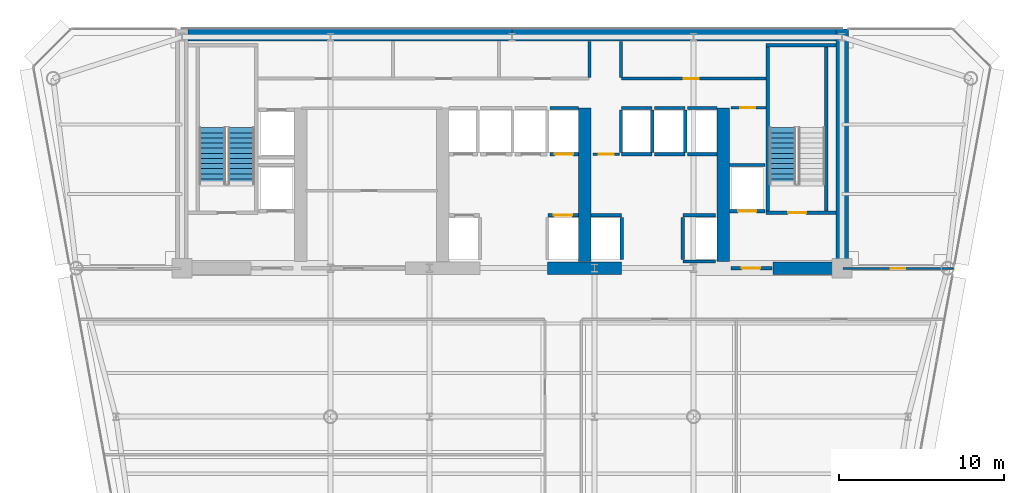
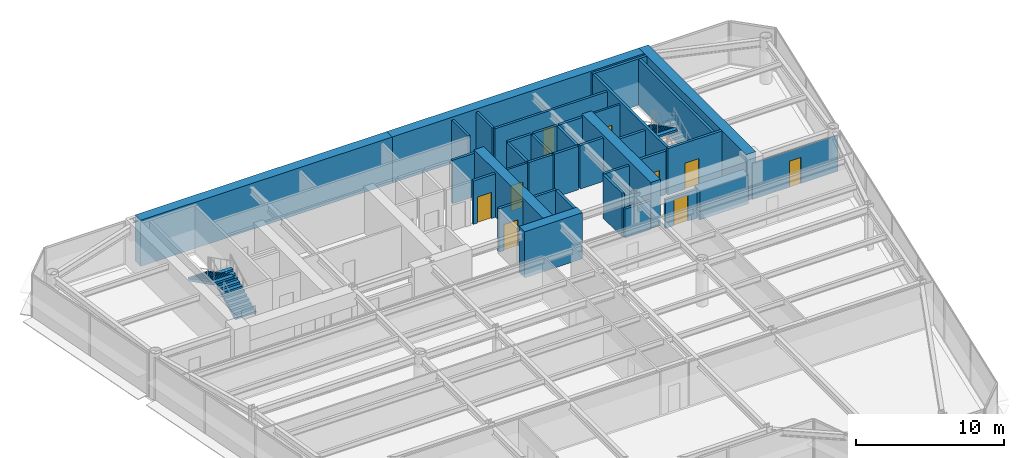
# One storey, part 12 of 17: 37 walls, 9 doors, 3 stair flights, 9 openings, 2 elements without a shape of their own.
"""IFC4 building model written with IfcOpenShell, lengths in metres."""

from ifc_helpers import new_model, si_unit, direction, frame, frame_2d, origin, place, context, subcontext, project, spatial, polyline, rectangle, outline, extrude, source, transform, mapped, material, layer, layer_set, type_object, element, fill, aggregate, save


model = new_model("IFC4")

# Units and contexts
model_context = context("Model", 3, precision=1e-05, world=origin(), true_north=direction((0.0, 1.0)))
body_context = subcontext(model_context, "Body", "Model", "MODEL_VIEW")
ifc_project = project(units=[si_unit("LENGTHUNIT", "METRE"), si_unit("AREAUNIT", "SQUARE_METRE"), si_unit("VOLUMEUNIT", "CUBIC_METRE"), si_unit("PLANEANGLEUNIT", "RADIAN"), si_unit("MASSUNIT", "GRAM", prefix="KILO")], contexts=[model_context])

# Site, building, storey
site_placement = place(None, origin())
site = spatial("IfcSite", under=ifc_project, at=site_placement, CompositionType="ELEMENT")
building_placement = place(site_placement, origin())
building = spatial("IfcBuilding", under=site, at=building_placement, Name="Vaeldorn Concourse Tower", CompositionType="ELEMENT")
storey_placement = place(building_placement, frame((0.0, 0.0, 165.199951171875)))
storey = spatial("IfcBuildingStorey", under=building, at=storey_placement, Name="L42", CompositionType="ELEMENT", Elevation=165.199951171875)

# Walls
ifc_material_1 = material(Name="Concrete C60/75", Category="concrete")
ifc_layer_1 = layer(ifc_material_1, 0.75)
ifc_layer_set_1 = layer_set([ifc_layer_1], Name="Concrete C60/75")
wall_type_1 = type_object("IfcWallType", Name="WL-CORE-750", PredefinedType="SHEAR", material=ifc_layer_set_1)
for number, where, z_axis, x_axis, name in (
    (1, (14.37890625, 50.625, 0.0), (0.0, 0.0, 1.0), (1.0, 0.0, 0.0), "Rear Core Shear Wall L42 N1"),
    (2, (34.001953125, 50.625, 0.0), (0.0, 0.0, 1.0), (1.0, 0.0, 0.0), "Rear Core Shear Wall L42 N2"),
):
    element("IfcWall", number, at=place(storey_placement, frame(where, z_axis=z_axis, x_axis=x_axis)), inside=storey, type_object=wall_type_1, Name=name, PredefinedType="SHEAR", context=body_context, shape_type="SweptSolid", body=[
        extrude(rectangle(XDim=19.619140625, YDim=0.75, at=frame_2d((9.8095703125, 0.0))), origin(), (0.0, 0.0, 1.0), 3.800048828125),
    ])
wall_1_placement = place(storey_placement, frame((54.0, 36.5, 0.0), z_axis=(0.0, 0.0, 1.0), x_axis=(0.0, 1.0, 0.0)))
element("IfcWall", 3, at=wall_1_placement, inside=storey, type_object=wall_type_1, Name="Rear Core Shear Wall L42 E1", PredefinedType="SHEAR", context=body_context, shape_type="SweptSolid", body=[
    extrude(rectangle(XDim=14.5, YDim=0.75, at=frame_2d((7.25, 0.0))), origin(), (0.0, 0.0, 1.0), 3.800048828125),
])
wall_2_placement = place(storey_placement, frame((36.14990234375, 36.5, 0.0), z_axis=(0.0, 0.0, 1.0), x_axis=(1.0, 0.0, 0.0)))
element("IfcWall", 4, at=wall_2_placement, inside=storey, type_object=wall_type_1, Name="Rear Core Shear Wall L42 S3", PredefinedType="SHEAR", context=body_context, shape_type="SweptSolid", body=[
    extrude(rectangle(XDim=4.5, YDim=0.75, at=frame_2d((2.25, 0.0))), origin(), (0.0, 0.0, 1.0), 3.800048828125),
])
wall_3_placement = place(storey_placement, frame((49.800048828125, 36.5, 0.0), z_axis=(0.0, 0.0, 1.0), x_axis=(1.0, 0.0, 0.0)))
element("IfcWall", 5, at=wall_3_placement, inside=storey, type_object=wall_type_1, Name="Rear Core Shear Wall L42 S4", PredefinedType="SHEAR", context=body_context, shape_type="SweptSolid", body=[
    extrude(rectangle(XDim=3.804931640625, YDim=0.75, at=frame_2d((1.90234375, 0.0))), origin(), (0.0, 0.0, 1.0), 2.380126953125),
])
for number, where, z_axis, x_axis, name in (
    (6, (38.39990234375, 36.89501953125, 0.0), (0.0, 0.0, 1.0), (0.0, 1.0, 0.0), "Rear Core Shear Wall L42 M3"),
    (7, (46.800048828125, 36.89501953125, 0.0), (0.0, 0.0, 1.0), (0.0, 1.0, 0.0), "Rear Core Shear Wall L42 M4"),
):
    element("IfcWall", number, at=place(storey_placement, frame(where, z_axis=z_axis, x_axis=x_axis)), inside=storey, type_object=wall_type_1, Name=name, PredefinedType="SHEAR", context=body_context, shape_type="SweptSolid", body=[
        extrude(rectangle(XDim=9.304931640625, YDim=0.75, at=frame_2d((4.65234375, 0.0))), origin(), (0.0, 0.0, 1.0), 3.800048828125),
    ])

# Wall, opening, door
ifc_material_2 = material(Name="Gypsum Board Partition", Category="gypsum")
ifc_layer_2 = layer(ifc_material_2, 0.1201171875)
ifc_layer_set_2 = layer_set([ifc_layer_2], Name="Gypsum Board Partition")
wall_type_2 = type_object("IfcWallType", Name="WL-PART-120", PredefinedType="PARTITIONING", material=ifc_layer_set_2)
wall_4_placement = place(storey_placement, frame((54.06005859375, 36.47998046875, 0.0), z_axis=(0.0, 0.0, 1.0), x_axis=(1.0, 0.0, 0.0)))
wall_4 = element("IfcWall", 8, at=wall_4_placement, inside=storey, type_object=wall_type_2, Name="Interior Wall PW-L42-NES", PredefinedType="PARTITIONING", context=body_context, shape_type="SweptSolid", body=[
    extrude(rectangle(XDim=6.66552734375, YDim=0.1201171875, at=frame_2d((3.332763671875, 0.0))), origin(), (0.0, 0.0, 1.0), 2.969970703125),
])
opening_1_placement = place(wall_4_placement, frame((2.883056640625, 0.0, 0.0)))
opening_1 = element("IfcOpeningElement", 9, at=opening_1_placement, cuts=wall_4, Name="Opening D-03", PredefinedType="OPENING", context=body_context, shape_type="SweptSolid", body=[
    extrude(rectangle(XDim=0.89990234375, YDim=2.14990234375, at=frame_2d((0.449951171875, 1.074951171875))), frame((0.0, 0.070068359375, 0.0), z_axis=(0.0, -1.0, 0.0), x_axis=(1.0, 0.0, 0.0)), (0.0, 0.0, 1.0), 0.14013671875),
])
ifc_material_3 = material(Name="Acoustic Bronze-Framed Glass Door", Category="glass")
door_type_1 = type_object("IfcDoorType", Name="DR-INT-900", OperationType="NOTDEFINED", PredefinedType="DOOR", material=ifc_material_3)
shared_shape_1 = source(origin(), body_context, "Body", "SweptSolid", [
    extrude(rectangle(XDim=0.89990234375, YDim=2.14990234375, at=frame_2d((0.449951171875, 1.074951171875))), frame((0.0, 0.02490234375, 0.0), z_axis=(0.0, -1.0, 0.0), x_axis=(1.0, 0.0, 0.0)), (0.0, 0.0, 1.0), 0.050048828125),
])
door_1_placement = place(opening_1_placement, origin())
door_1 = element("IfcDoor", 10, at=door_1_placement, inside=storey, type_object=door_type_1, Name="Interior Door DR-L42-NEC", OperationType="SINGLE_SWING_RIGHT", OverallHeight=2.14990234375, OverallWidth=0.89990234375, PredefinedType="DOOR", context=body_context, shape_type="MappedRepresentation", body=[
    mapped(shared_shape_1, transform((0.0, 0.0, 0.0), scale=1.0)),
])
fill(opening_1, door_1)

ifc_layer_3 = layer(ifc_material_2, 0.14990234375)
ifc_layer_set_3 = layer_set([ifc_layer_3], Name="Gypsum Board Partition")
wall_type_3 = type_object("IfcWallType", Name="WL-PART-150", PredefinedType="PARTITIONING", material=ifc_layer_set_3)
wall_5_placement = place(storey_placement, frame((47.280029296875, 46.219970703125, 0.0), z_axis=(0.0, 0.0, 1.0), x_axis=(1.0, 0.0, 0.0)))
wall_5 = element("IfcWall", 11, at=wall_5_placement, inside=storey, type_object=wall_type_3, Name="Interior Wall CW-L42-CRSE-N", PredefinedType="PARTITIONING", context=body_context, shape_type="SweptSolid", body=[
    extrude(rectangle(XDim=2.099853515625, YDim=0.14990234375, at=frame_2d((1.0498046875, 0.0))), origin(), (0.0, 0.0, 1.0), 3.580078125),
])
opening_2_placement = place(wall_5_placement, frame((0.550048828125, 0.0, 0.0)))
opening_2 = element("IfcOpeningElement", 12, at=opening_2_placement, cuts=wall_5, Name="Opening D-02", PredefinedType="OPENING", context=body_context, shape_type="SweptSolid", body=[
    extrude(rectangle(XDim=0.89990234375, YDim=2.10009765625, at=frame_2d((0.449951171875, 1.050048828125))), frame((0.0, 0.0849609375, 0.0), z_axis=(0.0, -1.0, 0.0), x_axis=(1.0, 0.0, 0.0)), (0.0, 0.0, 1.0), 0.169921875),
])
ifc_material_4 = material(Name="Fire-Rated Timber Leaf", Category="wood")
door_type_2 = type_object("IfcDoorType", Name="DR-FD30-900", OperationType="NOTDEFINED", PredefinedType="DOOR", material=ifc_material_4)
shared_shape_2 = source(origin(), body_context, "Body", "SweptSolid", [
    extrude(rectangle(XDim=0.89990234375, YDim=2.10009765625, at=frame_2d((0.449951171875, 1.050048828125))), frame((0.0, 0.02490234375, 0.0), z_axis=(0.0, -1.0, 0.0), x_axis=(1.0, 0.0, 0.0)), (0.0, 0.0, 1.0), 0.050048828125),
])
door_2_placement = place(opening_2_placement, origin())
door_2 = element("IfcDoor", 13, at=door_2_placement, inside=storey, type_object=door_type_2, Name="Interior Door DR-L42-CRSE", OperationType="SINGLE_SWING_RIGHT", OverallHeight=2.10009765625, OverallWidth=0.89990234375, PredefinedType="DOOR", context=body_context, shape_type="MappedRepresentation", body=[
    mapped(shared_shape_2, transform((0.0, 0.0, 0.0), scale=1.0)),
])
fill(opening_2, door_2)

wall_6_placement = place(storey_placement, frame((38.919921875, 43.39990234375, 0.0), z_axis=(0.0, 0.0, 1.0), x_axis=(1.0, 0.0, 0.0)))
wall_6 = element("IfcWall", 14, at=wall_6_placement, inside=storey, type_object=wall_type_3, Name="Interior Wall CW-L42-CCLINK", PredefinedType="PARTITIONING", context=body_context, shape_type="SweptSolid", body=[
    extrude(rectangle(XDim=1.60009765625, YDim=0.14990234375, at=frame_2d((0.800048828125, 0.0))), origin(), (0.0, 0.0, 1.0), 3.580078125),
])
opening_3_placement = place(wall_6_placement, frame((0.35009765625, 0.0, 0.0)))
opening_3 = element("IfcOpeningElement", 15, at=opening_3_placement, cuts=wall_6, Name="Opening D-02", PredefinedType="OPENING", context=body_context, shape_type="SweptSolid", body=[
    extrude(rectangle(XDim=0.89990234375, YDim=2.10009765625, at=frame_2d((0.449951171875, 1.050048828125))), frame((0.0, 0.0849609375, 0.0), z_axis=(0.0, -1.0, 0.0), x_axis=(1.0, 0.0, 0.0)), (0.0, 0.0, 1.0), 0.169921875),
])
door_3_placement = place(opening_3_placement, origin())
door_3 = element("IfcDoor", 16, at=door_3_placement, inside=storey, type_object=door_type_2, Name="Interior Door DR-L42-CCLINK", OperationType="SINGLE_SWING_LEFT", OverallHeight=2.10009765625, OverallWidth=0.89990234375, PredefinedType="DOOR", context=body_context, shape_type="MappedRepresentation", body=[
    mapped(shared_shape_2, transform((0.0, 0.0, 0.0), scale=1.0)),
])
fill(opening_3, door_3)

ifc_layer_4 = layer(ifc_material_2, 0.179931640625)
ifc_layer_set_4 = layer_set([ifc_layer_4], Name="Gypsum Board Partition")
wall_type_4 = type_object("IfcWallType", Name="WL-PLUMB-180", PredefinedType="PLUMBINGWALL", material=ifc_layer_set_4)
wall_7_placement = place(storey_placement, frame((40.6201171875, 47.97998046875, 0.0), z_axis=(0.0, 0.0, 1.0), x_axis=(1.0, 0.0, 0.0)))
wall_7 = element("IfcWall", 17, at=wall_7_placement, inside=storey, type_object=wall_type_4, Name="Interior Wall CW-L42-NS1E", PredefinedType="PLUMBINGWALL", context=body_context, shape_type="SweptSolid", body=[
    extrude(rectangle(XDim=8.759765625, YDim=0.179931640625, at=frame_2d((4.3798828125, 0.0))), origin(), (0.0, 0.0, 1.0), 3.580078125),
])
opening_4_placement = place(wall_7_placement, frame((3.800048828125, 0.0, 0.0)))
opening_4 = element("IfcOpeningElement", 18, at=opening_4_placement, cuts=wall_7, Name="Opening D-03", PredefinedType="OPENING", context=body_context, shape_type="SweptSolid", body=[
    extrude(rectangle(XDim=0.89990234375, YDim=2.14990234375, at=frame_2d((0.449951171875, 1.074951171875))), frame((0.0, 0.10009765625, 0.0), z_axis=(0.0, -1.0, 0.0), x_axis=(1.0, 0.0, 0.0)), (0.0, 0.0, 1.0), 0.199951171875),
])
door_4_placement = place(opening_4_placement, origin())
door_4 = element("IfcDoor", 19, at=door_4_placement, inside=storey, type_object=door_type_1, Name="Interior Door DR-L42-CS4", OperationType="SINGLE_SWING_RIGHT", OverallHeight=2.14990234375, OverallWidth=0.89990234375, PredefinedType="DOOR", context=body_context, shape_type="MappedRepresentation", body=[
    mapped(shared_shape_1, transform((0.0, 0.0, 0.0), scale=1.0)),
])
fill(opening_4, door_4)

# Walls
for number, where, z_axis, x_axis, name in (
    (20, (38.699951171875, 48.06005859375, 0.0), (0.0, 0.0, 1.0), (0.0, 1.0, 0.0), "Interior Wall CW-L42-NDIV3"),
    (21, (40.60009765625, 48.06005859375, 0.0), (0.0, 0.0, 1.0), (0.0, 1.0, 0.0), "Interior Wall CW-L42-NDIV4"),
):
    element("IfcWall", number, at=place(storey_placement, frame(where, z_axis=z_axis, x_axis=x_axis)), inside=storey, type_object=wall_type_4, Name=name, PredefinedType="PLUMBINGWALL", context=body_context, shape_type="SweptSolid", body=[
        extrude(rectangle(XDim=2.169921875, YDim=0.179931640625, at=frame_2d((1.0849609375, 0.0))), origin(), (0.0, 0.0, 1.0), 3.580078125),
    ])

# Wall, opening, door
ifc_material_5 = material(Name="Concrete C50/60", Category="concrete")
ifc_layer_5 = layer(ifc_material_5, 0.199951171875)
ifc_layer_set_5 = layer_set([ifc_layer_5], Name="Concrete C50/60")
wall_type_5 = type_object("IfcWallType", Name="WL-SHAFT-200", PredefinedType="SOLIDWALL", material=ifc_layer_set_5)
wall_8_placement = place(storey_placement, frame((49.39990234375, 39.85009765625, 0.0), z_axis=(0.0, 0.0, 1.0), x_axis=(1.0, 0.0, 0.0)))
wall_8 = element("IfcWall", 22, at=wall_8_placement, inside=storey, type_object=wall_type_5, Name="Stair Shaft Wall CW-L42-ST-2-S", PredefinedType="SOLIDWALL", context=body_context, shape_type="SweptSolid", body=[
    extrude(rectangle(XDim=4.22509765625, YDim=0.199951171875, at=frame_2d((2.112548828125, 0.0))), origin(), (0.0, 0.0, 1.0), 3.800048828125),
])
opening_5_placement = place(wall_8_placement, frame((1.324951171875, 0.0, 0.0)))
opening_5 = element("IfcOpeningElement", 23, at=opening_5_placement, cuts=wall_8, Name="Opening D-01", PredefinedType="OPENING", context=body_context, shape_type="SweptSolid", body=[
    extrude(rectangle(XDim=1.10009765625, YDim=2.14990234375, at=frame_2d((0.550048828125, 1.074951171875))), frame((0.0, 0.10986328125, 0.0), z_axis=(0.0, -1.0, 0.0), x_axis=(1.0, 0.0, 0.0)), (0.0, 0.0, 1.0), 0.219970703125),
])
ifc_material_6 = material(Name="Fire-Rated Timber and Steel Leaf", Category="steel")
door_type_3 = type_object("IfcDoorType", Name="DR-FD60-1100", OperationType="NOTDEFINED", PredefinedType="DOOR", material=ifc_material_6)
shared_shape_3 = source(origin(), body_context, "Body", "SweptSolid", [
    extrude(rectangle(XDim=1.10009765625, YDim=2.14990234375, at=frame_2d((0.550048828125, 1.074951171875))), frame((0.0, 0.02490234375, 0.0), z_axis=(0.0, -1.0, 0.0), x_axis=(1.0, 0.0, 0.0)), (0.0, 0.0, 1.0), 0.050048828125),
])
door_5_placement = place(opening_5_placement, origin())
door_5 = element("IfcDoor", 24, at=door_5_placement, inside=storey, type_object=door_type_3, Name="Interior Door DR-L42-ST-2", OperationType="SINGLE_SWING_RIGHT", OverallHeight=2.14990234375, OverallWidth=1.10009765625, PredefinedType="DOOR", context=body_context, shape_type="MappedRepresentation", body=[
    mapped(shared_shape_3, transform((0.0, 0.0, 0.0), scale=1.0)),
])
fill(opening_5, door_5)

# Walls
wall_9_placement = place(storey_placement, frame((49.39990234375, 50.0, 0.0), z_axis=(0.0, 0.0, 1.0), x_axis=(1.0, 0.0, 0.0)))
element("IfcWall", 25, at=wall_9_placement, inside=storey, type_object=wall_type_5, Name="Stair Shaft Wall CW-L42-ST-2-N", PredefinedType="SOLIDWALL", context=body_context, shape_type="SweptSolid", body=[
    extrude(rectangle(XDim=4.22509765625, YDim=0.199951171875, at=frame_2d((2.112548828125, 0.0))), origin(), (0.0, 0.0, 1.0), 3.800048828125),
])
for number, where, z_axis, x_axis, name in (
    (26, (49.5, 39.9599609375, 0.0), (0.0, 0.0, 1.0), (0.0, 1.0, 0.0), "Stair Shaft Wall CW-L42-ST-2-W"),
    (27, (53.050048828125, 39.9599609375, 0.0), (0.0, 0.0, 1.0), (0.0, 1.0, 0.0), "Stair Shaft Wall CW-L42-ST-2-E"),
):
    element("IfcWall", number, at=place(storey_placement, frame(where, z_axis=z_axis, x_axis=x_axis)), inside=storey, type_object=wall_type_5, Name=name, PredefinedType="SOLIDWALL", context=body_context, shape_type="SweptSolid", body=[
        extrude(rectangle(XDim=9.929931640625, YDim=0.199951171875, at=frame_2d((4.96484375, 0.0))), origin(), (0.0, 0.0, 1.0), 3.800048828125),
    ])

# Wall, opening, door
wall_10_placement = place(storey_placement, frame((47.280029296875, 36.5, 0.0), z_axis=(0.0, 0.0, 1.0), x_axis=(1.0, 0.0, 0.0)))
wall_10 = element("IfcWall", 28, at=wall_10_placement, inside=storey, type_object=wall_type_5, Name="Interior Wall CW-L42-FF2S", PredefinedType="SOLIDWALL", context=body_context, shape_type="SweptSolid", body=[
    extrude(rectangle(XDim=2.469970703125, YDim=0.199951171875, at=frame_2d((1.23486328125, 0.0))), origin(), (0.0, 0.0, 1.0), 2.3701171875),
])
opening_6_placement = place(wall_10_placement, frame((0.64990234375, 0.0, 0.0)))
opening_6 = element("IfcOpeningElement", 29, at=opening_6_placement, cuts=wall_10, Name="Opening D-01", PredefinedType="OPENING", context=body_context, shape_type="SweptSolid", body=[
    extrude(rectangle(XDim=1.10009765625, YDim=2.14990234375, at=frame_2d((0.550048828125, 1.074951171875))), frame((0.0, 0.10986328125, 0.0), z_axis=(0.0, -1.0, 0.0), x_axis=(1.0, 0.0, 0.0)), (0.0, 0.0, 1.0), 0.219970703125),
])
door_6_placement = place(opening_6_placement, origin())
door_6 = element("IfcDoor", 30, at=door_6_placement, inside=storey, type_object=door_type_3, Name="Interior Door DR-L42-FF2W", OperationType="SINGLE_SWING_LEFT", OverallHeight=2.14990234375, OverallWidth=1.10009765625, PredefinedType="DOOR", context=body_context, shape_type="MappedRepresentation", body=[
    mapped(shared_shape_3, transform((0.0, 0.0, 0.0), scale=1.0)),
])
fill(opening_6, door_6)

wall_11_placement = place(storey_placement, frame((36.169921875, 39.699951171875, 0.0), z_axis=(0.0, 0.0, 1.0), x_axis=(1.0, 0.0, 0.0)))
wall_11 = element("IfcWall", 31, at=wall_11_placement, inside=storey, type_object=wall_type_5, Name="Interior Wall CW-L42-LF-LF-08", PredefinedType="SOLIDWALL", context=body_context, shape_type="SweptSolid", body=[
    extrude(rectangle(XDim=1.844970703125, YDim=0.199951171875, at=frame_2d((0.92236328125, 0.0))), origin(), (0.0, 0.0, 1.0), 3.580078125),
])
opening_7_placement = place(wall_11_placement, frame((0.3720703125, 0.0, 0.0)))
opening_7 = element("IfcOpeningElement", 32, at=opening_7_placement, cuts=wall_11, Name="Opening LD-1", PredefinedType="OPENING", context=body_context, shape_type="SweptSolid", body=[
    extrude(rectangle(XDim=1.10009765625, YDim=2.14990234375, at=frame_2d((0.550048828125, 1.074951171875))), frame((0.0, 0.10986328125, 0.0), z_axis=(0.0, -1.0, 0.0), x_axis=(1.0, 0.0, 0.0)), (0.0, 0.0, 1.0), 0.219970703125),
])
ifc_material_7 = material(Name="Anodised Bronze Aluminium", Category="aluminium")
door_type_4 = type_object("IfcDoorType", Name="DR-LIFT-SLIDE-1100", OperationType="DOUBLE_DOOR_SLIDING", PredefinedType="DOOR", material=ifc_material_7)
door_7_placement = place(opening_7_placement, origin())
door_7 = element("IfcDoor", 33, at=door_7_placement, inside=storey, type_object=door_type_4, Name="Lift Landing Door LD-L42-LF-08", OperationType="DOUBLE_DOOR_SLIDING", OverallHeight=2.14990234375, OverallWidth=1.10009765625, PredefinedType="DOOR", context=body_context, shape_type="MappedRepresentation", body=[
    mapped(shared_shape_3, transform((0.0, 0.0, 0.0), scale=1.0)),
])
fill(opening_7, door_7)

wall_12_placement = place(storey_placement, frame((36.2900390625, 43.39990234375, 0.0), z_axis=(0.0, 0.0, 1.0), x_axis=(1.0, 0.0, 0.0)))
wall_12 = element("IfcWall", 34, at=wall_12_placement, inside=storey, type_object=wall_type_5, Name="Interior Wall CW-L42-LF-LF-12", PredefinedType="SOLIDWALL", context=body_context, shape_type="SweptSolid", body=[
    extrude(rectangle(XDim=1.724853515625, YDim=0.199951171875, at=frame_2d((0.8623046875, 0.0))), origin(), (0.0, 0.0, 1.0), 3.580078125),
])
opening_8_placement = place(wall_12_placement, frame((0.31298828125, 0.0, 0.0)))
opening_8 = element("IfcOpeningElement", 35, at=opening_8_placement, cuts=wall_12, Name="Opening LD-1", PredefinedType="OPENING", context=body_context, shape_type="SweptSolid", body=[
    extrude(rectangle(XDim=1.10009765625, YDim=2.14990234375, at=frame_2d((0.550048828125, 1.074951171875))), frame((0.0, 0.10986328125, 0.0), z_axis=(0.0, -1.0, 0.0), x_axis=(1.0, 0.0, 0.0)), (0.0, 0.0, 1.0), 0.219970703125),
])
door_8_placement = place(opening_8_placement, origin())
door_8 = element("IfcDoor", 36, at=door_8_placement, inside=storey, type_object=door_type_4, Name="Lift Landing Door LD-L42-LF-12", OperationType="DOUBLE_DOOR_SLIDING", OverallHeight=2.14990234375, OverallWidth=1.10009765625, PredefinedType="DOOR", context=body_context, shape_type="MappedRepresentation", body=[
    mapped(shared_shape_3, transform((0.0, 0.0, 0.0), scale=1.0)),
])
fill(opening_8, door_8)

# Walls
wall_13_placement = place(storey_placement, frame((36.2900390625, 46.199951171875, 0.0), z_axis=(0.0, 0.0, 1.0), x_axis=(1.0, 0.0, 0.0)))
element("IfcWall", 37, at=wall_13_placement, inside=storey, type_object=wall_type_5, Name="Interior Wall CW-L42-LFB-LF-12", PredefinedType="SOLIDWALL", context=body_context, shape_type="SweptSolid", body=[
    extrude(rectangle(XDim=1.724853515625, YDim=0.199951171875, at=frame_2d((0.8623046875, 0.0))), origin(), (0.0, 0.0, 1.0), 3.580078125),
])
wall_14_placement = place(storey_placement, frame((38.784912109375, 39.699951171875, 0.0), z_axis=(0.0, 0.0, 1.0), x_axis=(1.0, 0.0, 0.0)))
element("IfcWall", 38, at=wall_14_placement, inside=storey, type_object=wall_type_5, Name="Interior Wall CW-L42-LF-LF-13", PredefinedType="SOLIDWALL", context=body_context, shape_type="SweptSolid", body=[
    extrude(rectangle(XDim=1.844970703125, YDim=0.199951171875, at=frame_2d((0.92236328125, 0.0))), origin(), (0.0, 0.0, 1.0), 3.580078125),
])
wall_15_placement = place(storey_placement, frame((40.64990234375, 37.02001953125, 0.0), z_axis=(0.0, 0.0, 1.0), x_axis=(0.0, 1.0, 0.0)))
element("IfcWall", 39, at=wall_15_placement, inside=storey, type_object=wall_type_5, Name="Interior Wall CW-L42-LFE-LF-13", PredefinedType="SOLIDWALL", context=body_context, shape_type="SweptSolid", body=[
    extrude(rectangle(XDim=2.56005859375, YDim=0.199951171875, at=frame_2d((1.280029296875, 0.0))), origin(), (0.0, 0.0, 1.0), 3.580078125),
])
wall_16_placement = place(storey_placement, frame((44.3701171875, 39.699951171875, 0.0), z_axis=(0.0, 0.0, 1.0), x_axis=(1.0, 0.0, 0.0)))
element("IfcWall", 40, at=wall_16_placement, inside=storey, type_object=wall_type_5, Name="Interior Wall CW-L42-LF-LF-14", PredefinedType="SOLIDWALL", context=body_context, shape_type="SweptSolid", body=[
    extrude(rectangle(XDim=1.9599609375, YDim=0.199951171875, at=frame_2d((0.97998046875, 0.0))), origin(), (0.0, 0.0, 1.0), 3.580078125),
])
wall_17_placement = place(storey_placement, frame((44.3701171875, 36.89990234375, 0.0), z_axis=(0.0, 0.0, 1.0), x_axis=(1.0, 0.0, 0.0)))
element("IfcWall", 41, at=wall_17_placement, inside=storey, type_object=wall_type_5, Name="Interior Wall CW-L42-LFB-LF-14", PredefinedType="SOLIDWALL", context=body_context, shape_type="SweptSolid", body=[
    extrude(rectangle(XDim=1.9599609375, YDim=0.199951171875, at=frame_2d((0.97998046875, 0.0))), origin(), (0.0, 0.0, 1.0), 2.3701171875),
])
wall_18_placement = place(storey_placement, frame((44.35009765625, 37.02001953125, 0.0), z_axis=(0.0, 0.0, 1.0), x_axis=(0.0, 1.0, 0.0)))
element("IfcWall", 42, at=wall_18_placement, inside=storey, type_object=wall_type_5, Name="Interior Wall CW-L42-LFW-LF-14", PredefinedType="SOLIDWALL", context=body_context, shape_type="SweptSolid", body=[
    extrude(rectangle(XDim=2.56005859375, YDim=0.199951171875, at=frame_2d((1.280029296875, 0.0))), origin(), (0.0, 0.0, 1.0), 3.580078125),
])
for number, where, z_axis, x_axis, name in (
    (43, (40.6201171875, 43.39990234375, 0.0), (0.0, 0.0, 1.0), (1.0, 0.0, 0.0), "Interior Wall CW-L42-LF-LF-15"),
    (44, (40.6201171875, 46.199951171875, 0.0), (0.0, 0.0, 1.0), (1.0, 0.0, 0.0), "Interior Wall CW-L42-LFB-LF-15"),
):
    element("IfcWall", number, at=place(storey_placement, frame(where, z_axis=z_axis, x_axis=x_axis)), inside=storey, type_object=wall_type_5, Name=name, PredefinedType="SOLIDWALL", context=body_context, shape_type="SweptSolid", body=[
        extrude(rectangle(XDim=1.85986328125, YDim=0.199951171875, at=frame_2d((0.929931640625, 0.0))), origin(), (0.0, 0.0, 1.0), 3.580078125),
    ])
for number, where, z_axis, x_axis, name in (
    (45, (40.60009765625, 43.52001953125, 0.0), (0.0, 0.0, 1.0), (0.0, 1.0, 0.0), "Interior Wall CW-L42-LFW-LF-15"),
    (46, (42.5, 43.52001953125, 0.0), (0.0, 0.0, 1.0), (0.0, 1.0, 0.0), "Interior Wall CW-L42-LFE-LF-15"),
):
    element("IfcWall", number, at=place(storey_placement, frame(where, z_axis=z_axis, x_axis=x_axis)), inside=storey, type_object=wall_type_5, Name=name, PredefinedType="SOLIDWALL", context=body_context, shape_type="SweptSolid", body=[
        extrude(rectangle(XDim=2.56005859375, YDim=0.199951171875, at=frame_2d((1.280029296875, 0.0))), origin(), (0.0, 0.0, 1.0), 3.580078125),
    ])
for number, where, z_axis, x_axis, name in (
    (47, (42.6201171875, 43.39990234375, 0.0), (0.0, 0.0, 1.0), (1.0, 0.0, 0.0), "Interior Wall CW-L42-LF-LF-16"),
    (48, (42.6201171875, 46.199951171875, 0.0), (0.0, 0.0, 1.0), (1.0, 0.0, 0.0), "Interior Wall CW-L42-LFB-LF-16"),
):
    element("IfcWall", number, at=place(storey_placement, frame(where, z_axis=z_axis, x_axis=x_axis)), inside=storey, type_object=wall_type_5, Name=name, PredefinedType="SOLIDWALL", context=body_context, shape_type="SweptSolid", body=[
        extrude(rectangle(XDim=1.85986328125, YDim=0.199951171875, at=frame_2d((0.929931640625, 0.0))), origin(), (0.0, 0.0, 1.0), 3.580078125),
    ])
wall_19_placement = place(storey_placement, frame((44.5, 43.52001953125, 0.0), z_axis=(0.0, 0.0, 1.0), x_axis=(0.0, 1.0, 0.0)))
element("IfcWall", 49, at=wall_19_placement, inside=storey, type_object=wall_type_5, Name="Interior Wall CW-L42-LFE-LF-16", PredefinedType="SOLIDWALL", context=body_context, shape_type="SweptSolid", body=[
    extrude(rectangle(XDim=2.56005859375, YDim=0.199951171875, at=frame_2d((1.280029296875, 0.0))), origin(), (0.0, 0.0, 1.0), 3.580078125),
])
for number, where, z_axis, x_axis, name in (
    (50, (44.6201171875, 43.39990234375, 0.0), (0.0, 0.0, 1.0), (1.0, 0.0, 0.0), "Interior Wall CW-L42-LF-LF-17"),
    (51, (44.6201171875, 46.199951171875, 0.0), (0.0, 0.0, 1.0), (1.0, 0.0, 0.0), "Interior Wall CW-L42-LFB-LF-17"),
):
    element("IfcWall", number, at=place(storey_placement, frame(where, z_axis=z_axis, x_axis=x_axis)), inside=storey, type_object=wall_type_5, Name=name, PredefinedType="SOLIDWALL", context=body_context, shape_type="SweptSolid", body=[
        extrude(rectangle(XDim=1.794921875, YDim=0.199951171875, at=frame_2d((0.8974609375, 0.0))), origin(), (0.0, 0.0, 1.0), 3.580078125),
    ])

# Wall, opening, door
wall_20_placement = place(storey_placement, frame((47.18505859375, 39.949951171875, 0.0), z_axis=(0.0, 0.0, 1.0), x_axis=(1.0, 0.0, 0.0)))
wall_20 = element("IfcWall", 52, at=wall_20_placement, inside=storey, type_object=wall_type_5, Name="Interior Wall CW-L42-LF-LF-FF2", PredefinedType="SOLIDWALL", context=body_context, shape_type="SweptSolid", body=[
    extrude(rectangle(XDim=2.14501953125, YDim=0.199951171875, at=frame_2d((1.072509765625, 0.0))), origin(), (0.0, 0.0, 1.0), 3.580078125),
])
opening_9_placement = place(wall_20_placement, frame((0.52197265625, 0.0, 0.0)))
opening_9 = element("IfcOpeningElement", 53, at=opening_9_placement, cuts=wall_20, Name="Opening LD-1", PredefinedType="OPENING", context=body_context, shape_type="SweptSolid", body=[
    extrude(rectangle(XDim=1.10009765625, YDim=2.14990234375, at=frame_2d((0.550048828125, 1.074951171875))), frame((0.0, 0.10986328125, 0.0), z_axis=(0.0, -1.0, 0.0), x_axis=(1.0, 0.0, 0.0)), (0.0, 0.0, 1.0), 0.219970703125),
])
door_9_placement = place(opening_9_placement, origin())
door_9 = element("IfcDoor", 54, at=door_9_placement, inside=storey, type_object=door_type_4, Name="Lift Landing Door LD-L42-LF-FF2", OperationType="DOUBLE_DOOR_SLIDING", OverallHeight=2.14990234375, OverallWidth=1.10009765625, PredefinedType="DOOR", context=body_context, shape_type="MappedRepresentation", body=[
    mapped(shared_shape_3, transform((0.0, 0.0, 0.0), scale=1.0)),
])
fill(opening_9, door_9)

# Wall
wall_21_placement = place(storey_placement, frame((47.18505859375, 42.75, 0.0), z_axis=(0.0, 0.0, 1.0), x_axis=(1.0, 0.0, 0.0)))
element("IfcWall", 55, at=wall_21_placement, inside=storey, type_object=wall_type_5, Name="Interior Wall CW-L42-LFB-LF-FF2", PredefinedType="SOLIDWALL", context=body_context, shape_type="SweptSolid", body=[
    extrude(rectangle(XDim=2.14501953125, YDim=0.199951171875, at=frame_2d((1.072509765625, 0.0))), origin(), (0.0, 0.0, 1.0), 3.580078125),
])

# Stair, stair flights
ifc_material_8 = material(Name="Precast concrete C40/50", Category="concrete")
stair_type = type_object("IfcStairType", Name="STR-DOG-24x158", PredefinedType="HALF_TURN_STAIR", material=ifc_material_8)
stair_1_placement = place(storey_placement, origin())
stair_1 = element("IfcStair", 56, at=stair_1_placement, inside=storey, type_object=stair_type, Name="L42 West Core Exit Stair ST-1", PredefinedType="HALF_TURN_STAIR")
stair_flight_type = type_object("IfcStairFlightType", Name="STF-STR-12x158", PredefinedType="STRAIGHT", material=ifc_material_8)
stair_flight_1_placement = place(storey_placement, frame((17.60009765625, 41.60009765625, 0.0), z_axis=(0.0, 0.0, 1.0), x_axis=(0.0, 1.0, 0.0)))
stair_flight_1 = element("IfcStairFlight", 57, at=stair_flight_1_placement, type_object=stair_flight_type, Name="ST-1 flight 1", NumberOfRisers=12, NumberOfTreads=11, PredefinedType="STRAIGHT", RiserHeight=0.158333333, TreadLength=0.31, context=body_context, shape_type="SweptSolid", body=[
    extrude(outline(polyline([(0.0, 0.0), (0.0, 0.158447265625), (0.31005859375, 0.158447265625), (0.31005859375, 0.316650390625), (0.6201171875, 0.316650390625), (0.6201171875, 0.47509765625), (0.929931640625, 0.47509765625), (0.929931640625, 0.63330078125), (1.239990234375, 0.63330078125), (1.239990234375, 0.791748046875), (1.550048828125, 0.791748046875), (1.550048828125, 0.949951171875), (1.860107421875, 0.949951171875), (1.860107421875, 1.1083984375), (2.169921875, 1.1083984375), (2.169921875, 1.2666015625), (2.47998046875, 1.2666015625), (2.47998046875, 1.425048828125), (2.7900390625, 1.425048828125), (2.7900390625, 1.583251953125), (3.10009765625, 1.583251953125), (3.10009765625, 1.74169921875), (3.409912109375, 1.74169921875), (3.409912109375, 1.89990234375), (3.409912109375, 1.5732421875), (0.32958984375, 0.0), (0.0, 0.0)])), frame((0.0, 0.800048828125, 0.0), z_axis=(0.0, -1.0, 0.0), x_axis=(1.0, 0.0, 0.0)), (0.0, 0.0, 1.0), 1.60009765625),
])
stair_flight_2_placement = place(storey_placement, frame((15.85009765625, 45.010009765625, 1.900146484375), z_axis=(0.0, 0.0, 1.0), x_axis=(0.0, -1.0, 0.0)))
stair_flight_2 = element("IfcStairFlight", 58, at=stair_flight_2_placement, type_object=stair_flight_type, Name="ST-1 flight 2", NumberOfRisers=12, NumberOfTreads=11, PredefinedType="STRAIGHT", RiserHeight=0.158333333, TreadLength=0.31, context=body_context, shape_type="SweptSolid", body=[
    extrude(outline(polyline([(0.0, 0.0), (0.0, 0.158447265625), (0.31005859375, 0.158447265625), (0.31005859375, 0.316650390625), (0.6201171875, 0.316650390625), (0.6201171875, 0.47509765625), (0.929931640625, 0.47509765625), (0.929931640625, 0.63330078125), (1.239990234375, 0.63330078125), (1.239990234375, 0.791748046875), (1.550048828125, 0.791748046875), (1.550048828125, 0.949951171875), (1.860107421875, 0.949951171875), (1.860107421875, 1.1083984375), (2.169921875, 1.1083984375), (2.169921875, 1.2666015625), (2.47998046875, 1.2666015625), (2.47998046875, 1.425048828125), (2.7900390625, 1.425048828125), (2.7900390625, 1.583251953125), (3.10009765625, 1.583251953125), (3.10009765625, 1.74169921875), (3.409912109375, 1.74169921875), (3.409912109375, 1.89990234375), (3.409912109375, 1.5732421875), (0.32958984375, 0.0), (0.0, 0.0)])), frame((0.0, 0.800048828125, 0.0), z_axis=(0.0, -1.0, 0.0), x_axis=(1.0, 0.0, 0.0)), (0.0, 0.0, 1.0), 1.60009765625),
])
aggregate(stair_1, [stair_flight_1, stair_flight_2])

# Stair, stair flight
stair_2_placement = place(storey_placement, origin())
stair_2 = element("IfcStair", 59, at=stair_2_placement, inside=storey, type_object=stair_type, Name="L42 East Core Exit Stair ST-2", PredefinedType="HALF_TURN_STAIR")
stair_flight_3_placement = place(storey_placement, frame((50.39990234375, 45.010009765625, 1.900146484375), z_axis=(0.0, 0.0, 1.0), x_axis=(0.0, -1.0, 0.0)))
stair_flight_3 = element("IfcStairFlight", 60, at=stair_flight_3_placement, type_object=stair_flight_type, Name="ST-2 flight 2", NumberOfRisers=12, NumberOfTreads=11, PredefinedType="STRAIGHT", RiserHeight=0.158333333, TreadLength=0.31, context=body_context, shape_type="SweptSolid", body=[
    extrude(outline(polyline([(0.0, 0.0), (0.0, 0.158447265625), (0.31005859375, 0.158447265625), (0.31005859375, 0.316650390625), (0.6201171875, 0.316650390625), (0.6201171875, 0.47509765625), (0.929931640625, 0.47509765625), (0.929931640625, 0.63330078125), (1.239990234375, 0.63330078125), (1.239990234375, 0.791748046875), (1.550048828125, 0.791748046875), (1.550048828125, 0.949951171875), (1.860107421875, 0.949951171875), (1.860107421875, 1.1083984375), (2.169921875, 1.1083984375), (2.169921875, 1.2666015625), (2.47998046875, 1.2666015625), (2.47998046875, 1.425048828125), (2.7900390625, 1.425048828125), (2.7900390625, 1.583251953125), (3.10009765625, 1.583251953125), (3.10009765625, 1.74169921875), (3.409912109375, 1.74169921875), (3.409912109375, 1.89990234375), (3.409912109375, 1.5732421875), (0.32958984375, 0.0), (0.0, 0.0)])), frame((0.0, 0.800048828125, 0.0), z_axis=(0.0, -1.0, 0.0), x_axis=(1.0, 0.0, 0.0)), (0.0, 0.0, 1.0), 1.60009765625),
])
aggregate(stair_2, [stair_flight_3])

save(model, "model.ifc")
